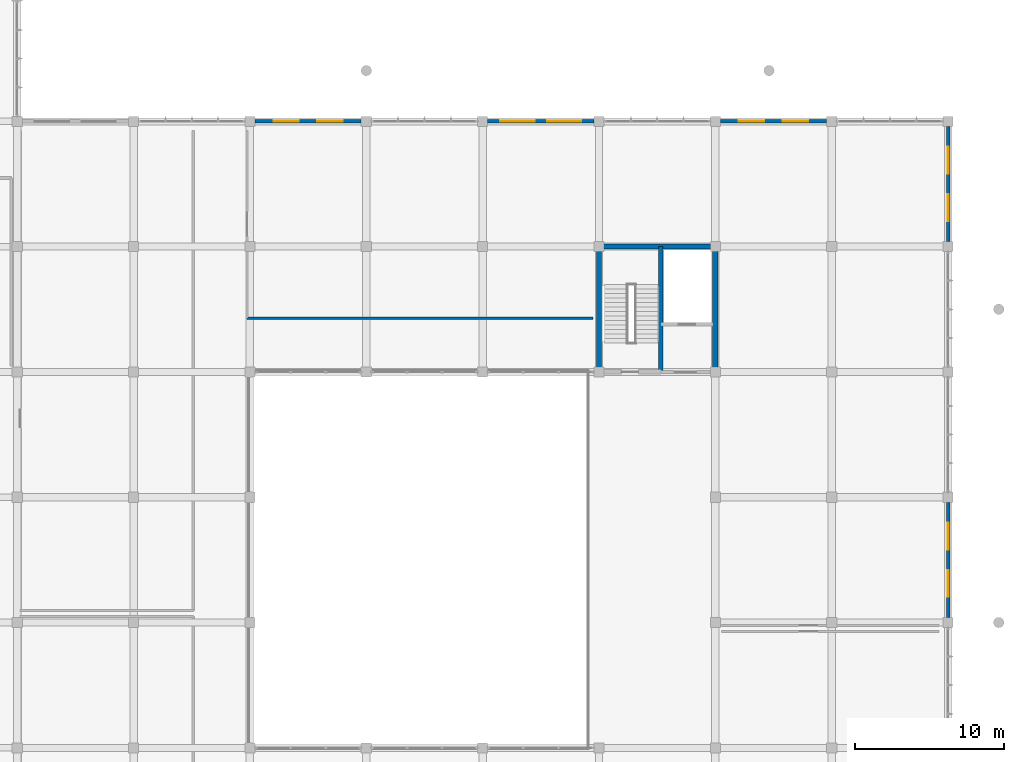
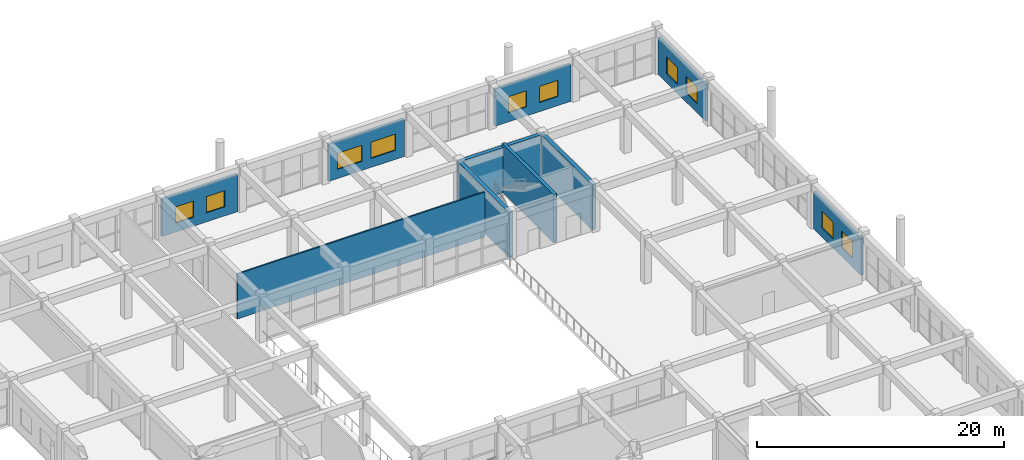
# One storey, part 166 of 175: 10 walls, 10 windows, 10 openings.
"""IFC4 building model written with IfcOpenShell, lengths in metres."""

from ifc_helpers import new_model, si_unit, direction, frame, frame_2d, origin, place, context, subcontext, project, spatial, rectangle, extrude, material, layer, layer_set, type_object, element, fill, save


model = new_model("IFC4")

# Units and contexts
model_context = context("Model", 3, precision=1e-05, world=origin(), true_north=direction((0.0, 1.0)))
body_context = subcontext(model_context, "Body", "Model", "MODEL_VIEW")
ifc_project = project(units=[si_unit("LENGTHUNIT", "METRE"), si_unit("AREAUNIT", "SQUARE_METRE"), si_unit("VOLUMEUNIT", "CUBIC_METRE"), si_unit("PLANEANGLEUNIT", "RADIAN"), si_unit("MASSUNIT", "GRAM", prefix="KILO")], contexts=[model_context])

# Site, building, storey
site_placement = place(None, origin())
site = spatial("IfcSite", under=ifc_project, at=site_placement, CompositionType="ELEMENT")
building_placement = place(site_placement, origin())
building = spatial("IfcBuilding", under=site, at=building_placement, Name="Zizhar Promenade General Hospital", CompositionType="ELEMENT")
storey_placement = place(building_placement, frame((0.0, 0.0, 4.800048828125)))
storey = spatial("IfcBuildingStorey", under=building, at=storey_placement, Name="L01", CompositionType="ELEMENT", Elevation=4.800048828125)

# Wall, openings, windows
ifc_material_1 = material(Name="Precast concrete C40/50", Category="concrete")
ifc_layer_1 = layer(ifc_material_1, 0.235107421875)
ifc_layer_set_1 = layer_set([ifc_layer_1], Name="Precast concrete C40/50")
wall_type_1 = type_object("IfcWallType", Name="EW-CLN-235", PredefinedType="STANDARD", material=ifc_layer_set_1)
wall_1_placement = place(storey_placement, frame((148.5400390625, 109.199951171875, 0.0), z_axis=(0.0, 0.0, 1.0), x_axis=(1.0, 0.0, 0.0)))
wall_1 = element("IfcWall", 1, at=wall_1_placement, inside=storey, type_object=wall_type_1, Name="Outpatient North Wall L01-19", PredefinedType="STANDARD", context=body_context, shape_type="SweptSolid", body=[
    extrude(rectangle(XDim=7.119873046875, YDim=0.235107421875, at=frame_2d((3.56005859375, 0.0))), origin(), (0.0, 0.0, 1.0), 3.679931640625),
])
opening_1_placement = place(wall_1_placement, frame((1.239990234375, 0.0, 0.89990234375)))
opening_1 = element("IfcOpeningElement", 2, at=opening_1_placement, cuts=wall_1, Name="Opening W-22", PredefinedType="OPENING", context=body_context, shape_type="SweptSolid", body=[
    extrude(rectangle(XDim=1.699951171875, YDim=1.60009765625, at=frame_2d((0.85009765625, 0.800048828125))), frame((0.0, 0.12744140625, 0.0), z_axis=(0.0, -1.0, 0.0), x_axis=(1.0, 0.0, 0.0)), (0.0, 0.0, 1.0), 0.255126953125),
])
opening_2_placement = place(wall_1_placement, frame((4.179931640625, 0.0, 0.89990234375)))
opening_2 = element("IfcOpeningElement", 3, at=opening_2_placement, cuts=wall_1, Name="Opening W-22", PredefinedType="OPENING", context=body_context, shape_type="SweptSolid", body=[
    extrude(rectangle(XDim=1.699951171875, YDim=1.60009765625, at=frame_2d((0.85009765625, 0.800048828125))), frame((0.0, 0.12744140625, 0.0), z_axis=(0.0, -1.0, 0.0), x_axis=(1.0, 0.0, 0.0)), (0.0, 0.0, 1.0), 0.255126953125),
])
ifc_material_2 = material(Name="Anodised aluminium 6063-T6 and low-E glass", Category="aluminium")
window_type_1 = type_object("IfcWindowType", Name="WIN-CLN-170x160", PartitioningType="SINGLE_PANEL", PredefinedType="WINDOW", material=ifc_material_2)
window_1_placement = place(opening_1_placement, origin())
window_1 = element("IfcWindow", 4, at=window_1_placement, inside=storey, type_object=window_type_1, Name="Outpatient North Wall L01-19 Window 1", OverallHeight=1.60009765625, OverallWidth=1.699951171875, PartitioningType="SINGLE_PANEL", PredefinedType="WINDOW", context=body_context, shape_type="SweptSolid", body=[
    extrude(rectangle(XDim=1.699951171875, YDim=1.60009765625, at=frame_2d((0.85009765625, 0.800048828125))), frame((0.0, 0.030029296875, 0.0), z_axis=(0.0, -1.0, 0.0), x_axis=(1.0, 0.0, 0.0)), (0.0, 0.0, 1.0), 0.06005859375),
])
fill(opening_1, window_1)
window_2_placement = place(opening_2_placement, origin())
window_2 = element("IfcWindow", 5, at=window_2_placement, inside=storey, type_object=window_type_1, Name="Outpatient North Wall L01-19 Window 2", OverallHeight=1.60009765625, OverallWidth=1.699951171875, PartitioningType="SINGLE_PANEL", PredefinedType="WINDOW", context=body_context, shape_type="SweptSolid", body=[
    extrude(rectangle(XDim=1.699951171875, YDim=1.60009765625, at=frame_2d((0.85009765625, 0.800048828125))), frame((0.0, 0.030029296875, 0.0), z_axis=(0.0, -1.0, 0.0), x_axis=(1.0, 0.0, 0.0)), (0.0, 0.0, 1.0), 0.06005859375),
])
fill(opening_2, window_2)

wall_2_placement = place(storey_placement, frame((164.139892578125, 109.199951171875, 0.0), z_axis=(0.0, 0.0, 1.0), x_axis=(1.0, 0.0, 0.0)))
wall_2 = element("IfcWall", 6, at=wall_2_placement, inside=storey, type_object=wall_type_1, Name="Outpatient North Wall L01-21", PredefinedType="STANDARD", context=body_context, shape_type="SweptSolid", body=[
    extrude(rectangle(XDim=7.1201171875, YDim=0.235107421875, at=frame_2d((3.56005859375, 0.0))), origin(), (0.0, 0.0, 1.0), 3.679931640625),
])
opening_3_placement = place(wall_2_placement, frame((0.840087890625, 0.0, 0.89990234375)))
opening_3 = element("IfcOpeningElement", 7, at=opening_3_placement, cuts=wall_2, Name="Opening W-20", PredefinedType="OPENING", context=body_context, shape_type="SweptSolid", body=[
    extrude(rectangle(XDim=2.300048828125, YDim=1.60009765625, at=frame_2d((1.14990234375, 0.800048828125))), frame((0.0, 0.12744140625, 0.0), z_axis=(0.0, -1.0, 0.0), x_axis=(1.0, 0.0, 0.0)), (0.0, 0.0, 1.0), 0.255126953125),
])
opening_4_placement = place(wall_2_placement, frame((3.97998046875, 0.0, 0.89990234375)))
opening_4 = element("IfcOpeningElement", 8, at=opening_4_placement, cuts=wall_2, Name="Opening W-20", PredefinedType="OPENING", context=body_context, shape_type="SweptSolid", body=[
    extrude(rectangle(XDim=2.300048828125, YDim=1.60009765625, at=frame_2d((1.14990234375, 0.800048828125))), frame((0.0, 0.12744140625, 0.0), z_axis=(0.0, -1.0, 0.0), x_axis=(1.0, 0.0, 0.0)), (0.0, 0.0, 1.0), 0.255126953125),
])
ifc_material_3 = material(Name="Anodised aluminium 6063-T6 and low-E glass", Category="aluminium")
window_type_2 = type_object("IfcWindowType", Name="WIN-CLN-230x160", PartitioningType="DOUBLE_PANEL_VERTICAL", PredefinedType="WINDOW", material=ifc_material_3)
window_3_placement = place(opening_3_placement, origin())
window_3 = element("IfcWindow", 9, at=window_3_placement, inside=storey, type_object=window_type_2, Name="Outpatient North Wall L01-21 Window 1", OverallHeight=1.60009765625, OverallWidth=2.300048828125, PartitioningType="SINGLE_PANEL", PredefinedType="WINDOW", context=body_context, shape_type="SweptSolid", body=[
    extrude(rectangle(XDim=2.300048828125, YDim=1.60009765625, at=frame_2d((1.14990234375, 0.800048828125))), frame((0.0, 0.030029296875, 0.0), z_axis=(0.0, -1.0, 0.0), x_axis=(1.0, 0.0, 0.0)), (0.0, 0.0, 1.0), 0.06005859375),
])
fill(opening_3, window_3)
window_4_placement = place(opening_4_placement, origin())
window_4 = element("IfcWindow", 10, at=window_4_placement, inside=storey, type_object=window_type_2, Name="Outpatient North Wall L01-21 Window 2", OverallHeight=1.60009765625, OverallWidth=2.300048828125, PartitioningType="SINGLE_PANEL", PredefinedType="WINDOW", context=body_context, shape_type="SweptSolid", body=[
    extrude(rectangle(XDim=2.300048828125, YDim=1.60009765625, at=frame_2d((1.14990234375, 0.800048828125))), frame((0.0, 0.030029296875, 0.0), z_axis=(0.0, -1.0, 0.0), x_axis=(1.0, 0.0, 0.0)), (0.0, 0.0, 1.0), 0.06005859375),
])
fill(opening_4, window_4)

wall_3_placement = place(storey_placement, frame((179.739990234375, 109.199951171875, 0.0), z_axis=(0.0, 0.0, 1.0), x_axis=(1.0, 0.0, 0.0)))
wall_3 = element("IfcWall", 11, at=wall_3_placement, inside=storey, type_object=wall_type_1, Name="Outpatient North Wall L01-23", PredefinedType="STANDARD", context=body_context, shape_type="SweptSolid", body=[
    extrude(rectangle(XDim=7.1201171875, YDim=0.235107421875, at=frame_2d((3.56005859375, 0.0))), origin(), (0.0, 0.0, 1.0), 3.679931640625),
])
opening_5_placement = place(wall_3_placement, frame((1.239990234375, 0.0, 0.89990234375)))
opening_5 = element("IfcOpeningElement", 12, at=opening_5_placement, cuts=wall_3, Name="Opening W-22", PredefinedType="OPENING", context=body_context, shape_type="SweptSolid", body=[
    extrude(rectangle(XDim=1.699951171875, YDim=1.60009765625, at=frame_2d((0.85009765625, 0.800048828125))), frame((0.0, 0.12744140625, 0.0), z_axis=(0.0, -1.0, 0.0), x_axis=(1.0, 0.0, 0.0)), (0.0, 0.0, 1.0), 0.255126953125),
])
opening_6_placement = place(wall_3_placement, frame((4.179931640625, 0.0, 0.89990234375)))
opening_6 = element("IfcOpeningElement", 13, at=opening_6_placement, cuts=wall_3, Name="Opening W-22", PredefinedType="OPENING", context=body_context, shape_type="SweptSolid", body=[
    extrude(rectangle(XDim=1.699951171875, YDim=1.60009765625, at=frame_2d((0.85009765625, 0.800048828125))), frame((0.0, 0.12744140625, 0.0), z_axis=(0.0, -1.0, 0.0), x_axis=(1.0, 0.0, 0.0)), (0.0, 0.0, 1.0), 0.255126953125),
])
window_5_placement = place(opening_5_placement, origin())
window_5 = element("IfcWindow", 14, at=window_5_placement, inside=storey, type_object=window_type_1, Name="Outpatient North Wall L01-23 Window 1", OverallHeight=1.60009765625, OverallWidth=1.699951171875, PartitioningType="SINGLE_PANEL", PredefinedType="WINDOW", context=body_context, shape_type="SweptSolid", body=[
    extrude(rectangle(XDim=1.699951171875, YDim=1.60009765625, at=frame_2d((0.85009765625, 0.800048828125))), frame((0.0, 0.030029296875, 0.0), z_axis=(0.0, -1.0, 0.0), x_axis=(1.0, 0.0, 0.0)), (0.0, 0.0, 1.0), 0.06005859375),
])
fill(opening_5, window_5)
window_6_placement = place(opening_6_placement, origin())
window_6 = element("IfcWindow", 15, at=window_6_placement, inside=storey, type_object=window_type_1, Name="Outpatient North Wall L01-23 Window 2", OverallHeight=1.60009765625, OverallWidth=1.699951171875, PartitioningType="SINGLE_PANEL", PredefinedType="WINDOW", context=body_context, shape_type="SweptSolid", body=[
    extrude(rectangle(XDim=1.699951171875, YDim=1.60009765625, at=frame_2d((0.85009765625, 0.800048828125))), frame((0.0, 0.030029296875, 0.0), z_axis=(0.0, -1.0, 0.0), x_axis=(1.0, 0.0, 0.0)), (0.0, 0.0, 1.0), 0.06005859375),
])
fill(opening_6, window_6)

wall_4_placement = place(storey_placement, frame((195.0, 83.659912109375, 0.0), z_axis=(0.0, 0.0, 1.0), x_axis=(0.0, -1.0, 0.0)))
wall_4 = element("IfcWall", 16, at=wall_4_placement, inside=storey, type_object=wall_type_1, Name="Outpatient East Wall L01-9", PredefinedType="STANDARD", context=body_context, shape_type="SweptSolid", body=[
    extrude(rectangle(XDim=7.719970703125, YDim=0.235107421875, at=frame_2d((3.85986328125, 0.0))), origin(), (0.0, 0.0, 1.0), 3.6650390625),
])
opening_7_placement = place(wall_4_placement, frame((1.373291015625, 0.0, 0.89990234375)))
opening_7 = element("IfcOpeningElement", 17, at=opening_7_placement, cuts=wall_4, Name="Opening W-08", PredefinedType="OPENING", context=body_context, shape_type="SweptSolid", body=[
    extrude(rectangle(XDim=1.800048828125, YDim=1.64990234375, at=frame_2d((0.89990234375, 0.824951171875))), frame((0.0, 0.12744140625, 0.0), z_axis=(0.0, -1.0, 0.0), x_axis=(1.0, 0.0, 0.0)), (0.0, 0.0, 1.0), 0.255126953125),
])
opening_8_placement = place(wall_4_placement, frame((4.546630859375, 0.0, 0.89990234375)))
opening_8 = element("IfcOpeningElement", 18, at=opening_8_placement, cuts=wall_4, Name="Opening W-08", PredefinedType="OPENING", context=body_context, shape_type="SweptSolid", body=[
    extrude(rectangle(XDim=1.800048828125, YDim=1.64990234375, at=frame_2d((0.89990234375, 0.824951171875))), frame((0.0, 0.12744140625, 0.0), z_axis=(0.0, -1.0, 0.0), x_axis=(1.0, 0.0, 0.0)), (0.0, 0.0, 1.0), 0.255126953125),
])
ifc_material_4 = material(Name="Anodised aluminium 6063-T6 and low-E glass", Category="aluminium")
window_type_3 = type_object("IfcWindowType", Name="WIN-CLN-180x165", PartitioningType="DOUBLE_PANEL_VERTICAL", PredefinedType="WINDOW", material=ifc_material_4)
window_7_placement = place(opening_7_placement, origin())
window_7 = element("IfcWindow", 19, at=window_7_placement, inside=storey, type_object=window_type_3, Name="Outpatient East Wall L01-9 Window 1", OverallHeight=1.64990234375, OverallWidth=1.800048828125, PartitioningType="SINGLE_PANEL", PredefinedType="WINDOW", context=body_context, shape_type="SweptSolid", body=[
    extrude(rectangle(XDim=1.800048828125, YDim=1.64990234375, at=frame_2d((0.89990234375, 0.824951171875))), frame((0.0, 0.030029296875, 0.0), z_axis=(0.0, -1.0, 0.0), x_axis=(1.0, 0.0, 0.0)), (0.0, 0.0, 1.0), 0.06005859375),
])
fill(opening_7, window_7)
window_8_placement = place(opening_8_placement, origin())
window_8 = element("IfcWindow", 20, at=window_8_placement, inside=storey, type_object=window_type_3, Name="Outpatient East Wall L01-9 Window 2", OverallHeight=1.64990234375, OverallWidth=1.800048828125, PartitioningType="SINGLE_PANEL", PredefinedType="WINDOW", context=body_context, shape_type="SweptSolid", body=[
    extrude(rectangle(XDim=1.800048828125, YDim=1.64990234375, at=frame_2d((0.89990234375, 0.824951171875))), frame((0.0, 0.030029296875, 0.0), z_axis=(0.0, -1.0, 0.0), x_axis=(1.0, 0.0, 0.0)), (0.0, 0.0, 1.0), 0.06005859375),
])
fill(opening_8, window_8)

wall_5_placement = place(storey_placement, frame((195.0, 108.860107421875, 0.0), z_axis=(0.0, 0.0, 1.0), x_axis=(0.0, -1.0, 0.0)))
wall_5 = element("IfcWall", 21, at=wall_5_placement, inside=storey, type_object=wall_type_1, Name="Outpatient East Wall L01-12", PredefinedType="STANDARD", context=body_context, shape_type="SweptSolid", body=[
    extrude(rectangle(XDim=7.72021484375, YDim=0.235107421875, at=frame_2d((3.860107421875, 0.0))), origin(), (0.0, 0.0, 1.0), 3.6650390625),
])
opening_9_placement = place(wall_5_placement, frame((1.373291015625, 0.0, 0.89990234375)))
opening_9 = element("IfcOpeningElement", 22, at=opening_9_placement, cuts=wall_5, Name="Opening W-08", PredefinedType="OPENING", context=body_context, shape_type="SweptSolid", body=[
    extrude(rectangle(XDim=1.800048828125, YDim=1.64990234375, at=frame_2d((0.89990234375, 0.824951171875))), frame((0.0, 0.12744140625, 0.0), z_axis=(0.0, -1.0, 0.0), x_axis=(1.0, 0.0, 0.0)), (0.0, 0.0, 1.0), 0.255126953125),
])
opening_10_placement = place(wall_5_placement, frame((4.546630859375, 0.0, 0.89990234375)))
opening_10 = element("IfcOpeningElement", 23, at=opening_10_placement, cuts=wall_5, Name="Opening W-08", PredefinedType="OPENING", context=body_context, shape_type="SweptSolid", body=[
    extrude(rectangle(XDim=1.800048828125, YDim=1.64990234375, at=frame_2d((0.89990234375, 0.824951171875))), frame((0.0, 0.12744140625, 0.0), z_axis=(0.0, -1.0, 0.0), x_axis=(1.0, 0.0, 0.0)), (0.0, 0.0, 1.0), 0.255126953125),
])
window_9_placement = place(opening_9_placement, origin())
window_9 = element("IfcWindow", 24, at=window_9_placement, inside=storey, type_object=window_type_3, Name="Outpatient East Wall L01-12 Window 1", OverallHeight=1.64990234375, OverallWidth=1.800048828125, PartitioningType="SINGLE_PANEL", PredefinedType="WINDOW", context=body_context, shape_type="SweptSolid", body=[
    extrude(rectangle(XDim=1.800048828125, YDim=1.64990234375, at=frame_2d((0.89990234375, 0.824951171875))), frame((0.0, 0.030029296875, 0.0), z_axis=(0.0, -1.0, 0.0), x_axis=(1.0, 0.0, 0.0)), (0.0, 0.0, 1.0), 0.06005859375),
])
fill(opening_9, window_9)
window_10_placement = place(opening_10_placement, origin())
window_10 = element("IfcWindow", 25, at=window_10_placement, inside=storey, type_object=window_type_3, Name="Outpatient East Wall L01-12 Window 2", OverallHeight=1.64990234375, OverallWidth=1.800048828125, PartitioningType="SINGLE_PANEL", PredefinedType="WINDOW", context=body_context, shape_type="SweptSolid", body=[
    extrude(rectangle(XDim=1.800048828125, YDim=1.64990234375, at=frame_2d((0.89990234375, 0.824951171875))), frame((0.0, 0.030029296875, 0.0), z_axis=(0.0, -1.0, 0.0), x_axis=(1.0, 0.0, 0.0)), (0.0, 0.0, 1.0), 0.06005859375),
])
fill(opening_10, window_10)

# Walls
ifc_material_5 = material(Name="Clinical consultation partition")
ifc_layer_2 = layer(ifc_material_5, 0.14501953125)
ifc_layer_set_2 = layer_set([ifc_layer_2], Name="Clinical consultation partition")
wall_type_2 = type_object("IfcWallType", Name="IW-CLN-145", PredefinedType="PARTITIONING", material=ifc_layer_set_2)
wall_6_placement = place(storey_placement, frame((148.0, 96.0, 0.0), z_axis=(0.0, 0.0, 1.0), x_axis=(1.0, 0.0, 0.0)))
element("IfcWall", 26, at=wall_6_placement, inside=storey, type_object=wall_type_2, Name="Accessible Clinic Waiting and Lounge L01 S Partition", PredefinedType="PARTITIONING", context=body_context, shape_type="SweptSolid", body=[
    extrude(rectangle(XDim=23.199951171875, YDim=0.14501953125, at=frame_2d((11.60009765625, 0.0))), origin(), (0.0, 0.0, 1.0), 4.4599609375),
])
ifc_material_6 = material(Name="Concrete C40/50", Category="concrete")
ifc_layer_3 = layer(ifc_material_6, 0.300048828125)
ifc_layer_set_3 = layer_set([ifc_layer_3], Name="Concrete C40/50")
wall_type_3 = type_object("IfcWallType", Name="WL-CORE-300", PredefinedType="SHEAR", material=ifc_layer_set_3)
wall_7_placement = place(storey_placement, frame((175.75, 92.39990234375, 0.0), z_axis=(0.0, 0.0, 1.0), x_axis=(0.0, 1.0, 0.0)))
element("IfcWall", 27, at=wall_7_placement, inside=storey, type_object=wall_type_3, Name="Core C8 Stair-Shaft Separation Wall (L01)", PredefinedType="SHEAR", context=body_context, shape_type="SweptSolid", body=[
    extrude(rectangle(XDim=8.400146484375, YDim=0.300048828125, at=frame_2d((4.2001953125, 0.0))), origin(), (0.0, 0.0, 1.0), 4.800048828125),
])
ifc_material_7 = material(Name="Concrete C40/50", Category="concrete")
ifc_layer_4 = layer(ifc_material_7, 0.35009765625)
ifc_layer_set_4 = layer_set([ifc_layer_4], Name="Concrete C40/50")
wall_type_4 = type_object("IfcWallType", Name="WL-CORE-350", PredefinedType="SHEAR", material=ifc_layer_set_4)
wall_8_placement = place(storey_placement, frame((171.425048828125, 100.800048828125, 0.0), z_axis=(0.0, 0.0, 1.0), x_axis=(1.0, 0.0, 0.0)))
element("IfcWall", 28, at=wall_8_placement, inside=storey, type_object=wall_type_4, Name="Core C8 North Shear Wall L01", PredefinedType="SHEAR", context=body_context, shape_type="SweptSolid", body=[
    extrude(rectangle(XDim=8.14990234375, YDim=0.35009765625, at=frame_2d((4.074951171875, 0.0))), origin(), (0.0, 0.0, 1.0), 4.47998046875),
])
for number, where, z_axis, x_axis, name in (
    (29, (171.60009765625, 92.39990234375, 0.0), (0.0, 0.0, 1.0), (0.0, 1.0, 0.0), "Core C8 West Shear Wall L01"),
    (30, (179.39990234375, 92.39990234375, 0.0), (0.0, 0.0, 1.0), (0.0, 1.0, 0.0), "Core C8 East Shear Wall L01"),
):
    element("IfcWall", number, at=place(storey_placement, frame(where, z_axis=z_axis, x_axis=x_axis)), inside=storey, type_object=wall_type_4, Name=name, PredefinedType="SHEAR", context=body_context, shape_type="SweptSolid", body=[
        extrude(rectangle(XDim=8.400146484375, YDim=0.35009765625, at=frame_2d((4.2001953125, 0.0))), origin(), (0.0, 0.0, 1.0), 4.47998046875),
    ])

save(model, "model.ifc")
